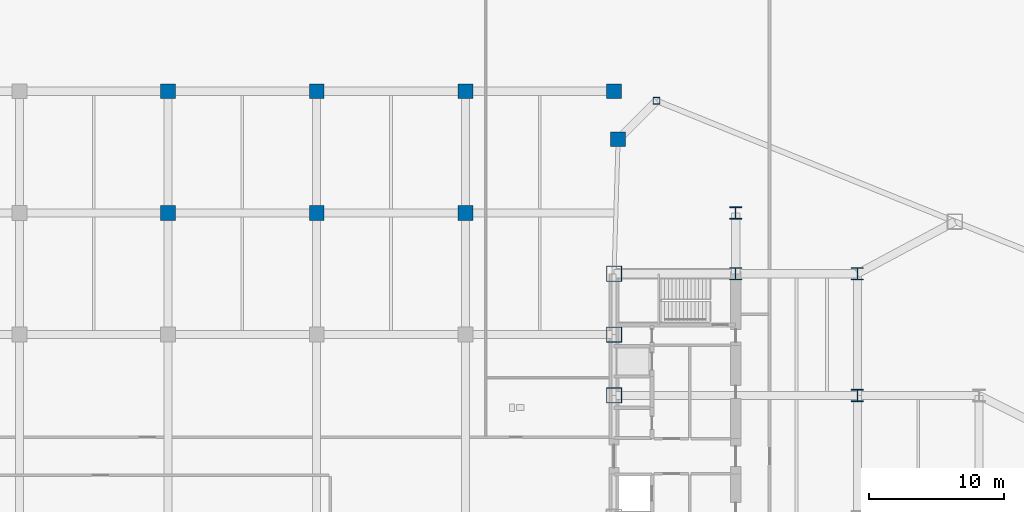
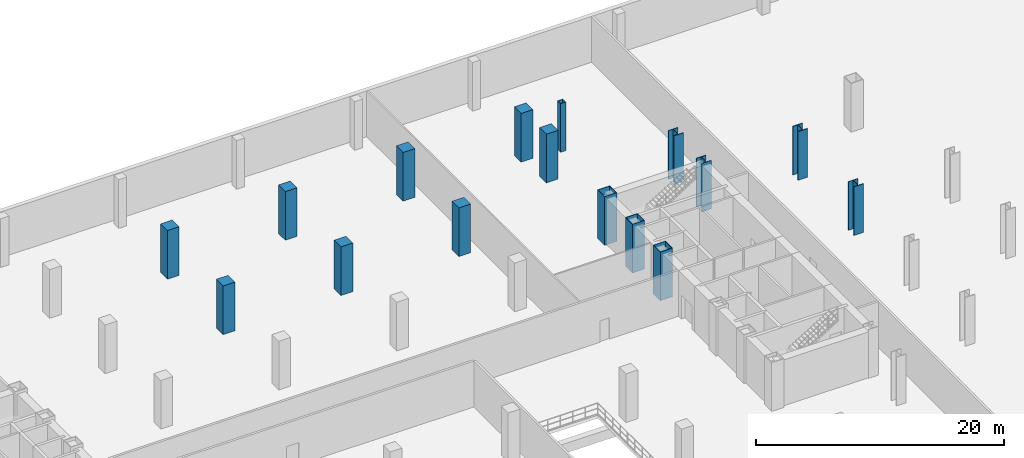
# One storey, part 4 of 18: 16 columns.
"""IFC4 building model written with IfcOpenShell, lengths in metres."""

from ifc_helpers import new_model, si_unit, direction, frame, origin, origin_2d, place, context, subcontext, project, spatial, rectangle, hollow_rectangle, i_section, extrude, source, transform, mapped, material, material_profile, profile_set, type_object, type_shapes, element, save


model = new_model("IFC4")

# Units and contexts
model_context = context("Model", 3, precision=1e-05, world=origin(), true_north=direction((0.0, 1.0)))
body_context = subcontext(model_context, "Body", "Model", "MODEL_VIEW")
ifc_project = project(units=[si_unit("LENGTHUNIT", "METRE"), si_unit("AREAUNIT", "SQUARE_METRE"), si_unit("VOLUMEUNIT", "CUBIC_METRE"), si_unit("PLANEANGLEUNIT", "RADIAN"), si_unit("MASSUNIT", "GRAM", prefix="KILO")], contexts=[model_context])

# Site, building, storey
site_placement = place(None, origin())
site = spatial("IfcSite", under=ifc_project, at=site_placement, CompositionType="ELEMENT")
building_placement = place(site_placement, origin())
building = spatial("IfcBuilding", under=site, at=building_placement, Name="Seokmaru Belvedere", CompositionType="ELEMENT")
storey_placement = place(building_placement, frame((0.0, 0.0, -4.800048828125)))
storey = spatial("IfcBuildingStorey", under=building, at=storey_placement, Name="B1", CompositionType="ELEMENT", Elevation=-4.800048828125)

# Columns
ifc_material_1 = material(Name="Steel HSA650 (650 MPa)", Category="steel")
ifc_material_profile_1 = material_profile(ifc_material_1, hollow_rectangle(XDim=1.14990234375, YDim=1.14990234375, WallThickness=0.048095703125, at=origin_2d()), Name="BOX-1150x1150x48")
ifc_profile_set_1 = profile_set([ifc_material_profile_1], Name="Steel HSA650 (650 MPa)")
column_type_1 = type_object("IfcColumnType", Name="Portal Spine Column BOX-1150", PredefinedType="COLUMN", material=ifc_profile_set_1)
shared_shape_1 = source(origin(), body_context, "Body", "SweptSolid", [
    extrude(hollow_rectangle(XDim=1.14990234375, YDim=1.14990234375, WallThickness=0.048095703125, at=origin_2d()), origin(), (0.0, 0.0, 1.0), 4.800048828125),
])
type_shapes(column_type_1, [shared_shape_1])
for number, where, z_axis, x_axis, name in (
    (1, (27.5, 4.5, 0.0), (0.0, 0.0, 1.0), (1.0, 0.0, 0.0), "B1 Column ES4"),
    (2, (27.5, 9.0, 0.0), (0.0, 0.0, 1.0), (1.0, 0.0, 0.0), "B1 Column ES5"),
    (3, (27.5, 13.5, 0.0), (0.0, 0.0, 1.0), (1.0, 0.0, 0.0), "B1 Column ES6"),
):
    element("IfcColumn", number, at=place(storey_placement, frame(where, z_axis=z_axis, x_axis=x_axis)), inside=storey, type_object=column_type_1, Name=name, PredefinedType="COLUMN", context=body_context, shape_type="MappedRepresentation", body=[
        mapped(shared_shape_1, transform((0.0, 0.0, 0.0), scale=1.0)),
    ])
ifc_material_2 = material(Name="Concrete C60 (60 MPa)", Category="concrete")
ifc_material_profile_2 = material_profile(ifc_material_2, rectangle(XDim=1.10009765625, YDim=1.10009765625, at=origin_2d()), Name="RC-1100x1100")
ifc_profile_set_2 = profile_set([ifc_material_profile_2], Name="Concrete C60 (60 MPa)")
column_type_2 = type_object("IfcColumnType", Name="Basement Substructure Column RC-1100", PredefinedType="COLUMN", material=ifc_profile_set_2)
shared_shape_2 = source(origin(), body_context, "Body", "SweptSolid", [
    extrude(rectangle(XDim=1.10009765625, YDim=1.10009765625, at=origin_2d()), origin(), (0.0, 0.0, 1.0), 4.800048828125),
])
type_shapes(column_type_2, [shared_shape_2])
for number, where, z_axis, x_axis, name in (
    (4, (27.5, 27.0, 0.0), (0.0, 0.0, 1.0), (1.0, 0.0, 0.0), "B1 Column EPS2"),
    (5, (27.800048828125, 23.451416015625, 0.0), (0.0, 0.0, 1.0), (1.0, 0.0, 0.0), "B1 Column EPM_N"),
    (6, (-5.5, 18.0, 0.0), (0.0, 0.0, 1.0), (1.0, 0.0, 0.0), "B1 Column CP2_5"),
    (7, (-5.5, 27.0, 0.0), (0.0, 0.0, 1.0), (1.0, 0.0, 0.0), "B1 Column CP2_6"),
    (8, (5.5, 18.0, 0.0), (0.0, 0.0, 1.0), (1.0, 0.0, 0.0), "B1 Column CP3_5"),
    (9, (5.5, 27.0, 0.0), (0.0, 0.0, 1.0), (1.0, 0.0, 0.0), "B1 Column CP3_6"),
    (10, (16.5, 18.0, 0.0), (0.0, 0.0, 1.0), (1.0, 0.0, 0.0), "B1 Column CP4_5"),
    (11, (16.5, 27.0, 0.0), (0.0, 0.0, 1.0), (1.0, 0.0, 0.0), "B1 Column CP4_6"),
):
    element("IfcColumn", number, at=place(storey_placement, frame(where, z_axis=z_axis, x_axis=x_axis)), inside=storey, type_object=column_type_2, Name=name, PredefinedType="COLUMN", context=body_context, shape_type="MappedRepresentation", body=[
        mapped(shared_shape_2, transform((0.0, 0.0, 0.0), scale=1.0)),
    ])
ifc_material_profile_3 = material_profile(ifc_material_1, i_section(OverallWidth=0.89990234375, OverallDepth=0.89990234375, WebThickness=0.035888671875, FlangeThickness=0.054931640625, at=origin_2d()), Name="H-900x900x36x55")
ifc_profile_set_3 = profile_set([ifc_material_profile_3], Name="Steel HSA650 (650 MPa)")
column_type_3 = type_object("IfcColumnType", Name="Lower Interior Column H-900", PredefinedType="COLUMN", material=ifc_profile_set_3)
shared_shape_3 = source(origin(), body_context, "Body", "SweptSolid", [
    extrude(i_section(OverallWidth=0.89990234375, OverallDepth=0.89990234375, WebThickness=0.035888671875, FlangeThickness=0.054931640625, at=origin_2d()), origin(), (0.0, 0.0, 1.0), 4.800048828125),
])
type_shapes(column_type_3, [shared_shape_3])
for number, where, z_axis, x_axis, name in (
    (12, (36.5, 13.5, 0.0), (0.0, 0.0, 1.0), (1.0, 0.0, 0.0), "B1 Column EC3"),
    (13, (36.5, 18.0, 0.0), (0.0, 0.0, 1.0), (1.0, 0.0, 0.0), "B1 Column EC4"),
    (14, (45.5, 4.5, 0.0), (0.0, 0.0, 1.0), (1.0, 0.0, 0.0), "B1 Column EG5_3"),
    (15, (45.5, 13.5, 0.0), (0.0, 0.0, 1.0), (1.0, 0.0, 0.0), "B1 Column EG5_4"),
):
    element("IfcColumn", number, at=place(storey_placement, frame(where, z_axis=z_axis, x_axis=x_axis)), inside=storey, type_object=column_type_3, Name=name, PredefinedType="COLUMN", context=body_context, shape_type="MappedRepresentation", body=[
        mapped(shared_shape_3, transform((0.0, 0.0, 0.0), scale=1.0)),
    ])
ifc_material_3 = material(Name="Steel SM355 (355 MPa)", Category="steel")
ifc_material_profile_4 = material_profile(ifc_material_3, hollow_rectangle(XDim=0.5, YDim=0.5, WallThickness=0.02001953125, at=origin_2d()), Name="HSS-500x500x20")
ifc_profile_set_4 = profile_set([ifc_material_profile_4], Name="Steel SM355 (355 MPa)")
column_type_4 = type_object("IfcColumnType", Name="Perimeter Facet Column HSS-500", PredefinedType="COLUMN", material=ifc_profile_set_4)
shared_shape_4 = source(origin(), body_context, "Body", "SweptSolid", [
    extrude(hollow_rectangle(XDim=0.5, YDim=0.5, WallThickness=0.02001953125, at=origin_2d()), origin(), (0.0, 0.0, 1.0), 4.800048828125),
])
type_shapes(column_type_4, [shared_shape_4])
column_placement = place(storey_placement, frame((30.643310546875, 26.294677734375, 0.0), z_axis=(0.0, 0.0, 1.0), x_axis=(1.0, 0.0, 0.0)))
element("IfcColumn", 16, at=column_placement, inside=storey, type_object=column_type_4, Name="B1 Column EF4", PredefinedType="COLUMN", context=body_context, shape_type="MappedRepresentation", body=[
    mapped(shared_shape_4, transform((0.0, 0.0, 0.0), scale=1.0)),
])

save(model, "model.ifc")
